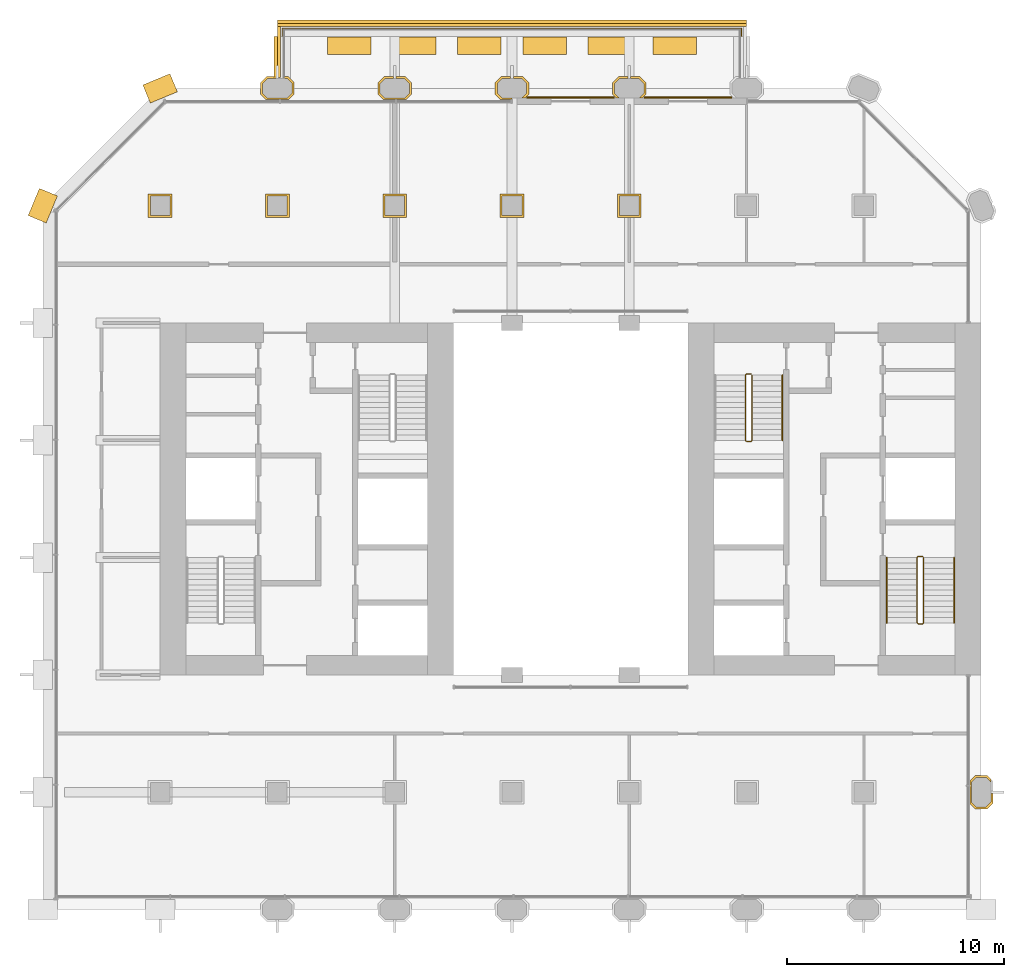
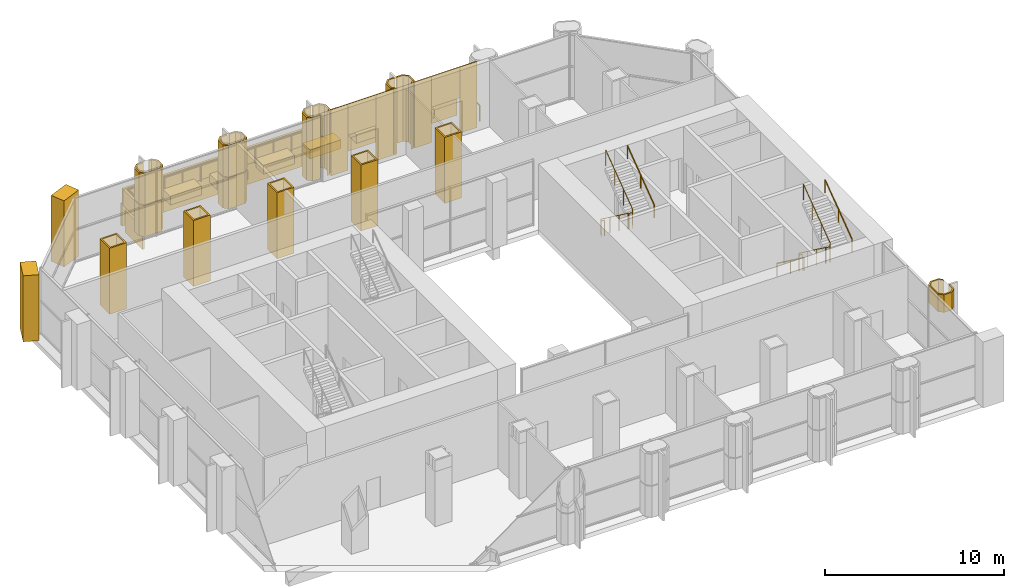
# One storey, part 14 of 15: 34 coverings, 6 railings.
"""IFC4 building model written with IfcOpenShell, lengths in metres."""

from ifc_helpers import new_model, si_unit, direction, frame, frame_2d, origin, origin_2d, place, context, subcontext, project, spatial, polyline, rectangle, circle, outline, extrude, material, layer, layer_set, type_object, element, save


model = new_model("IFC4")

# Units and contexts
model_context = context("Model", 3, precision=1e-05, world=origin(), true_north=direction((0.0, 1.0)))
body_context = subcontext(model_context, "Body", "Model", "MODEL_VIEW")
ifc_project = project(units=[si_unit("LENGTHUNIT", "METRE"), si_unit("AREAUNIT", "SQUARE_METRE"), si_unit("VOLUMEUNIT", "CUBIC_METRE"), si_unit("PLANEANGLEUNIT", "RADIAN"), si_unit("MASSUNIT", "GRAM", prefix="KILO")], contexts=[model_context])

# Site, building, storey
site_placement = place(None, origin())
site = spatial("IfcSite", under=ifc_project, at=site_placement, CompositionType="ELEMENT")
building_placement = place(site_placement, origin())
building = spatial("IfcBuilding", under=site, at=building_placement, Name="Tabaq Tower and Sports Hall", CompositionType="ELEMENT")
storey_placement = place(building_placement, frame((0.0, 0.0, 138.39990234375)))
storey = spatial("IfcBuildingStorey", under=building, at=storey_placement, Name="L32", CompositionType="ELEMENT", Elevation=138.39990234375)

# Coverings
ifc_material_1 = material(Name="Precast concrete C60/75", Category="concrete")
ifc_layer_1 = layer(ifc_material_1, 0.10009765625)
ifc_layer_set_1 = layer_set([ifc_layer_1], Name="Column cladding 100")
covering_type_1 = type_object("IfcCoveringType", Name="Column cladding 100", PredefinedType="CLADDING", material=ifc_layer_set_1)
covering_1_placement = place(storey_placement, origin())
element("IfcCovering", 1, at=covering_1_placement, inside=storey, type_object=covering_type_1, Name="Column cladding L32 CC-2H-S1", PredefinedType="CLADDING", context=body_context, shape_type="SweptSolid", body=[
    extrude(outline(polyline([(4.850341796875, 38.349609375), (5.94970703125, 38.349609375), (5.94970703125, 37.250244140625), (4.850341796875, 37.250244140625), (4.850341796875, 38.349609375)]), holes=[polyline([(5.850341796875, 37.349609375), (5.850341796875, 38.250244140625), (4.94970703125, 38.250244140625), (4.94970703125, 37.349609375), (5.850341796875, 37.349609375)])]), origin(), (0.0, 0.0, 1.0), 4.5),
])
covering_2_placement = place(storey_placement, origin())
element("IfcCovering", 2, at=covering_2_placement, inside=storey, type_object=covering_type_1, Name="Column cladding L32 CC-3H-S1", PredefinedType="CLADDING", context=body_context, shape_type="SweptSolid", body=[
    extrude(outline(polyline([(10.250244140625, 38.349609375), (11.349609375, 38.349609375), (11.349609375, 37.250244140625), (10.250244140625, 37.250244140625), (10.250244140625, 38.349609375)]), holes=[polyline([(11.250244140625, 37.349609375), (11.250244140625, 38.250244140625), (10.349609375, 38.250244140625), (10.349609375, 37.349609375), (11.250244140625, 37.349609375)])]), origin(), (0.0, 0.0, 1.0), 4.5),
])
for number, where, name in (
    (3, (0.0, 0.0, 0.10009765625), "Column cladding L32 PC-3I-S1"),
    (4, (0.0, 0.0, 2.280029296875), "Column cladding L32 PC-3I-S1 2"),
):
    element("IfcCovering", number, at=place(storey_placement, frame(where)), inside=storey, type_object=covering_type_1, Name=name, PredefinedType="CLADDING", context=body_context, shape_type="SweptSolid", body=[
        extrude(outline(polyline([(10.025390625, 43.46630859375), (10.30859375, 43.749755859375), (10.73974609375, 43.749755859375), (10.73974609375, 43.650390625), (10.349853515625, 43.650390625), (10.124755859375, 43.425048828125), (10.124755859375, 42.974853515625), (10.349853515625, 42.749755859375), (11.250244140625, 42.749755859375), (11.475341796875, 42.974853515625), (11.475341796875, 43.425048828125), (11.250244140625, 43.650390625), (11.09033203125, 43.650390625), (11.09033203125, 43.69970703125), (11.1103515625, 43.69970703125), (11.1103515625, 43.749755859375), (11.291259765625, 43.749755859375), (11.57470703125, 43.46630859375), (11.57470703125, 42.93359375), (11.331298828125, 42.690185546875), (10.268798828125, 42.690185546875), (10.025390625, 42.93359375), (10.025390625, 43.46630859375)])), origin(), (0.0, 0.0, 1.0), 2.1201171875),
    ])
covering_3_placement = place(storey_placement, origin())
element("IfcCovering", 5, at=covering_3_placement, inside=storey, type_object=covering_type_1, Name="Column cladding L32 CC-4H-S1", PredefinedType="CLADDING", context=body_context, shape_type="SweptSolid", body=[
    extrude(outline(polyline([(15.650390625, 38.349609375), (16.749755859375, 38.349609375), (16.749755859375, 37.250244140625), (15.650390625, 37.250244140625), (15.650390625, 38.349609375)]), holes=[polyline([(16.650390625, 37.349609375), (16.650390625, 38.250244140625), (15.749755859375, 38.250244140625), (15.749755859375, 37.349609375), (16.650390625, 37.349609375)])]), origin(), (0.0, 0.0, 1.0), 4.5),
])
for number, where, name in (
    (6, (0.0, 0.0, 0.10009765625), "Column cladding L32 PC-4I-S1"),
    (7, (0.0, 0.0, 2.280029296875), "Column cladding L32 PC-4I-S1 2"),
):
    element("IfcCovering", number, at=place(storey_placement, frame(where)), inside=storey, type_object=covering_type_1, Name=name, PredefinedType="CLADDING", context=body_context, shape_type="SweptSolid", body=[
        extrude(outline(polyline([(15.42529296875, 43.46630859375), (15.708740234375, 43.749755859375), (16.1396484375, 43.749755859375), (16.1396484375, 43.650390625), (15.749755859375, 43.650390625), (15.524658203125, 43.425048828125), (15.524658203125, 42.974853515625), (15.749755859375, 42.749755859375), (16.650146484375, 42.749755859375), (16.875244140625, 42.974853515625), (16.875244140625, 43.425048828125), (16.650146484375, 43.650390625), (16.26025390625, 43.650390625), (16.26025390625, 43.749755859375), (16.69140625, 43.749755859375), (16.974609375, 43.46630859375), (16.974609375, 42.93359375), (16.731201171875, 42.690185546875), (15.668701171875, 42.690185546875), (15.42529296875, 42.93359375), (15.42529296875, 43.46630859375)])), origin(), (0.0, 0.0, 1.0), 2.1201171875),
    ])
covering_4_placement = place(storey_placement, origin())
element("IfcCovering", 8, at=covering_4_placement, inside=storey, type_object=covering_type_1, Name="Column cladding L32 CC-5H-S1", PredefinedType="CLADDING", context=body_context, shape_type="SweptSolid", body=[
    extrude(outline(polyline([(21.05029296875, 38.349609375), (22.149658203125, 38.349609375), (22.149658203125, 37.250244140625), (21.05029296875, 37.250244140625), (21.05029296875, 38.349609375)]), holes=[polyline([(22.05029296875, 37.349609375), (22.05029296875, 38.250244140625), (21.149658203125, 38.250244140625), (21.149658203125, 37.349609375), (22.05029296875, 37.349609375)])]), origin(), (0.0, 0.0, 1.0), 4.5),
])
covering_5_placement = place(storey_placement, frame((0.0, 0.0, 0.10009765625)))
element("IfcCovering", 9, at=covering_5_placement, inside=storey, type_object=covering_type_1, Name="Column cladding L32 PC-5I-S1", PredefinedType="CLADDING", context=body_context, shape_type="SweptSolid", body=[
    extrude(outline(polyline([(20.8251953125, 43.46630859375), (21.108642578125, 43.749755859375), (21.539794921875, 43.749755859375), (21.539794921875, 43.650390625), (21.14990234375, 43.650390625), (20.9248046875, 43.425048828125), (20.9248046875, 42.974853515625), (21.14990234375, 42.749755859375), (21.599609375, 42.749755859375), (21.599609375, 42.690185546875), (21.068603515625, 42.690185546875), (20.8251953125, 42.93359375), (20.8251953125, 43.46630859375)])), origin(), (0.0, 0.0, 1.0), 2.1201171875),
])
covering_6_placement = place(storey_placement, frame((0.0, 0.0, 0.10009765625)))
element("IfcCovering", 10, at=covering_6_placement, inside=storey, type_object=covering_type_1, Name="Column cladding L32 PC-5I-S1 2", PredefinedType="CLADDING", context=body_context, shape_type="SweptSolid", body=[
    extrude(outline(polyline([(22.09130859375, 43.749755859375), (22.374755859375, 43.46630859375), (22.374755859375, 42.93359375), (22.19140625, 42.750244140625), (22.05078125, 42.750244140625), (22.275390625, 42.974853515625), (22.275390625, 43.425048828125), (22.050048828125, 43.650390625), (21.660400390625, 43.650390625), (21.660400390625, 43.749755859375), (22.09130859375, 43.749755859375)])), origin(), (0.0, 0.0, 1.0), 2.1201171875),
])
covering_7_placement = place(storey_placement, frame((0.0, 0.0, 2.280029296875)))
element("IfcCovering", 11, at=covering_7_placement, inside=storey, type_object=covering_type_1, Name="Column cladding L32 PC-5I-S1 2", PredefinedType="CLADDING", context=body_context, shape_type="SweptSolid", body=[
    extrude(outline(polyline([(20.8251953125, 43.46630859375), (21.108642578125, 43.749755859375), (21.539794921875, 43.749755859375), (21.539794921875, 43.650390625), (21.14990234375, 43.650390625), (20.9248046875, 43.425048828125), (20.9248046875, 42.974853515625), (21.14990234375, 42.749755859375), (21.599609375, 42.749755859375), (21.599609375, 42.690185546875), (21.068603515625, 42.690185546875), (20.8251953125, 42.93359375), (20.8251953125, 43.46630859375)])), origin(), (0.0, 0.0, 1.0), 2.1201171875),
])
covering_8_placement = place(storey_placement, frame((0.0, 0.0, 2.280029296875)))
element("IfcCovering", 12, at=covering_8_placement, inside=storey, type_object=covering_type_1, Name="Column cladding L32 PC-5I-S1 2 2", PredefinedType="CLADDING", context=body_context, shape_type="SweptSolid", body=[
    extrude(outline(polyline([(22.09130859375, 43.749755859375), (22.374755859375, 43.46630859375), (22.374755859375, 42.93359375), (22.19140625, 42.750244140625), (22.05078125, 42.750244140625), (22.275390625, 42.974853515625), (22.275390625, 43.425048828125), (22.050048828125, 43.650390625), (21.660400390625, 43.650390625), (21.660400390625, 43.749755859375), (22.09130859375, 43.749755859375)])), origin(), (0.0, 0.0, 1.0), 2.1201171875),
])
covering_9_placement = place(storey_placement, origin())
element("IfcCovering", 13, at=covering_9_placement, inside=storey, type_object=covering_type_1, Name="Column cladding L32 CC-6H-S1", PredefinedType="CLADDING", context=body_context, shape_type="SweptSolid", body=[
    extrude(outline(polyline([(26.4501953125, 38.349609375), (27.5498046875, 38.349609375), (27.5498046875, 37.250244140625), (26.4501953125, 37.250244140625), (26.4501953125, 38.349609375)]), holes=[polyline([(27.4501953125, 37.349609375), (27.4501953125, 38.250244140625), (26.5498046875, 38.250244140625), (26.5498046875, 37.349609375), (27.4501953125, 37.349609375)])]), origin(), (0.0, 0.0, 1.0), 4.5),
])
covering_10_placement = place(storey_placement, origin())
element("IfcCovering", 14, at=covering_10_placement, inside=storey, type_object=covering_type_1, Name="Column cladding L32 PC-6I-S1", PredefinedType="CLADDING", context=body_context, shape_type="SweptSolid", body=[
    extrude(outline(polyline([(27.4912109375, 43.749755859375), (27.774658203125, 43.46630859375), (27.774658203125, 42.93359375), (27.59130859375, 42.750244140625), (27.45068359375, 42.750244140625), (27.67529296875, 42.974853515625), (27.67529296875, 43.425048828125), (27.4501953125, 43.650390625), (27.060302734375, 43.650390625), (27.060302734375, 43.749755859375), (27.4912109375, 43.749755859375)])), origin(), (0.0, 0.0, 1.0), 4.5),
])
covering_11_placement = place(storey_placement, origin())
element("IfcCovering", 15, at=covering_11_placement, inside=storey, type_object=covering_type_1, Name="Column cladding L32 PC-6I-S1 2", PredefinedType="CLADDING", context=body_context, shape_type="SweptSolid", body=[
    extrude(outline(polyline([(26.225341796875, 43.46630859375), (26.5087890625, 43.749755859375), (26.939697265625, 43.749755859375), (26.939697265625, 43.650390625), (26.5498046875, 43.650390625), (26.32470703125, 43.425048828125), (26.32470703125, 42.974853515625), (26.54931640625, 42.750244140625), (26.40869140625, 42.750244140625), (26.225341796875, 42.93359375), (26.225341796875, 43.46630859375)])), origin(), (0.0, 0.0, 1.0), 4.5),
])
covering_12_placement = place(storey_placement, frame((0.0, 0.0, 3.300048828125)))
element("IfcCovering", 16, at=covering_12_placement, inside=storey, type_object=covering_type_1, Name="Column cladding L32 PC-9C-S1 head", PredefinedType="CLADDING", context=body_context, shape_type="SweptSolid", body=[
    extrude(outline(polyline([(42.690185546875, 10.268798828125), (42.690185546875, 11.331298828125), (42.93359375, 11.57470703125), (43.46630859375, 11.57470703125), (43.649658203125, 11.391357421875), (43.649658203125, 11.250732421875), (43.425048828125, 11.475341796875), (42.974853515625, 11.475341796875), (42.749755859375, 11.250244140625), (42.749755859375, 10.349853515625), (42.974853515625, 10.124755859375), (43.425048828125, 10.124755859375), (43.650390625, 10.349853515625), (43.650390625, 10.73974609375), (43.749755859375, 10.73974609375), (43.749755859375, 10.30859375), (43.46630859375, 10.025390625), (42.93359375, 10.025390625), (42.690185546875, 10.268798828125)])), origin(), (0.0, 0.0, 1.0), 1.199951171875),
])

# Railing
ifc_material_2 = material(Name="Stainless steel S316 and laminated glass", Category="steel")
railing_type_1 = type_object("IfcRailingType", Name="Guard 1100 steel and glass", PredefinedType="GUARDRAIL", material=ifc_material_2)
railing_1_placement = place(storey_placement, frame((32.14990234375, 43.199951171875, 0.0)))
element("IfcRailing", 17, at=railing_1_placement, inside=storey, type_object=railing_type_1, Name="Tray guard L32", PredefinedType="GUARDRAIL", context=body_context, shape_type="SweptSolid", body=[
    extrude(circle(Radius=0.02490234375, at=origin_2d()), frame((0.0, 0.0, 1.0751953125), z_axis=(0.0, 1.0, 0.0), x_axis=(-1.0, 0.0, 0.0)), (0.0, 0.0, 1.0), 2.75),
    extrude(circle(Radius=0.02490234375, at=origin_2d()), frame((0.0, 2.75, 1.0751953125), z_axis=(-1.0, 0.0, 0.0), x_axis=(0.0, -1.0, 0.0)), (0.0, 0.0, 1.0), 21.099853515625),
    extrude(circle(Radius=0.02490234375, at=origin_2d()), frame((-21.099853515625, 2.75, 1.0751953125), z_axis=(0.0, -1.0, 0.0), x_axis=(1.0, 0.0, 0.0)), (0.0, 0.0, 1.0), 2.75),
    extrude(circle(Radius=0.02001953125, at=origin_2d()), origin(), (0.0, 0.0, 1.0), 1.050048828125),
    extrude(circle(Radius=0.02001953125, at=origin_2d()), frame((0.0, 0.916748046875, 0.0)), (0.0, 0.0, 1.0), 1.050048828125),
    extrude(circle(Radius=0.02001953125, at=origin_2d()), frame((0.0, 1.833251953125, 0.0)), (0.0, 0.0, 1.0), 1.050048828125),
    extrude(circle(Radius=0.02001953125, at=origin_2d()), frame((0.0, 2.75, 0.0)), (0.0, 0.0, 1.0), 1.050048828125),
    extrude(circle(Radius=0.02001953125, at=origin_2d()), frame((-1.172119140625, 2.75, 0.0)), (0.0, 0.0, 1.0), 1.050048828125),
    extrude(circle(Radius=0.02001953125, at=origin_2d()), frame((-2.344482421875, 2.75, 0.0)), (0.0, 0.0, 1.0), 1.050048828125),
    extrude(circle(Radius=0.02001953125, at=origin_2d()), frame((-3.5166015625, 2.75, 0.0)), (0.0, 0.0, 1.0), 1.050048828125),
    extrude(circle(Radius=0.02001953125, at=origin_2d()), frame((-4.68896484375, 2.75, 0.0)), (0.0, 0.0, 1.0), 1.050048828125),
    extrude(circle(Radius=0.02001953125, at=origin_2d()), frame((-5.861083984375, 2.75, 0.0)), (0.0, 0.0, 1.0), 1.050048828125),
    extrude(circle(Radius=0.02001953125, at=origin_2d()), frame((-7.033203125, 2.75, 0.0)), (0.0, 0.0, 1.0), 1.050048828125),
    extrude(circle(Radius=0.02001953125, at=origin_2d()), frame((-8.20556640625, 2.75, 0.0)), (0.0, 0.0, 1.0), 1.050048828125),
    extrude(circle(Radius=0.02001953125, at=origin_2d()), frame((-9.377685546875, 2.75, 0.0)), (0.0, 0.0, 1.0), 1.050048828125),
    extrude(circle(Radius=0.02001953125, at=origin_2d()), frame((-10.5498046875, 2.75, 0.0)), (0.0, 0.0, 1.0), 1.050048828125),
    extrude(circle(Radius=0.02001953125, at=origin_2d()), frame((-11.72216796875, 2.75, 0.0)), (0.0, 0.0, 1.0), 1.050048828125),
    extrude(circle(Radius=0.02001953125, at=origin_2d()), frame((-12.894287109375, 2.75, 0.0)), (0.0, 0.0, 1.0), 1.050048828125),
    extrude(circle(Radius=0.02001953125, at=origin_2d()), frame((-14.066650390625, 2.75, 0.0)), (0.0, 0.0, 1.0), 1.050048828125),
    extrude(circle(Radius=0.02001953125, at=origin_2d()), frame((-15.23876953125, 2.75, 0.0)), (0.0, 0.0, 1.0), 1.050048828125),
    extrude(circle(Radius=0.02001953125, at=origin_2d()), frame((-16.410888671875, 2.75, 0.0)), (0.0, 0.0, 1.0), 1.050048828125),
    extrude(circle(Radius=0.02001953125, at=origin_2d()), frame((-17.583251953125, 2.75, 0.0)), (0.0, 0.0, 1.0), 1.050048828125),
    extrude(circle(Radius=0.02001953125, at=origin_2d()), frame((-18.75537109375, 2.75, 0.0)), (0.0, 0.0, 1.0), 1.050048828125),
    extrude(circle(Radius=0.02001953125, at=origin_2d()), frame((-19.927734375, 2.75, 0.0)), (0.0, 0.0, 1.0), 1.050048828125),
    extrude(circle(Radius=0.02001953125, at=origin_2d()), frame((-21.099853515625, 2.75, 0.0)), (0.0, 0.0, 1.0), 1.050048828125),
    extrude(circle(Radius=0.02001953125, at=origin_2d()), frame((-21.099853515625, 1.833251953125, 0.0)), (0.0, 0.0, 1.0), 1.050048828125),
    extrude(circle(Radius=0.02001953125, at=origin_2d()), frame((-21.099853515625, 0.916748046875, 0.0)), (0.0, 0.0, 1.0), 1.050048828125),
    extrude(circle(Radius=0.02001953125, at=origin_2d()), frame((-21.099853515625, 0.0, 0.0)), (0.0, 0.0, 1.0), 1.050048828125),
])

# Coverings
ifc_material_3 = material(Name="White precast concrete C60/75", Category="concrete")
covering_type_2 = type_object("IfcCoveringType", Name="Pier cladding hung 1350x900", PredefinedType="CLADDING", material=ifc_material_3)
for number, where, z_axis, x_axis, name in (
    (18, (0.25830078125, 38.423583984375, 0.0), (0.0, 0.0, 1.0), (-0.382649923473, -0.923893411637, 0.0), "Hung pier cladding 0/7"),
    (19, (6.023681640625, 43.458251953125, 0.0), (0.0, 0.0, 1.0), (-0.923893411637, -0.382649923473, 0.0), "Hung pier cladding 1/8"),
):
    element("IfcCovering", number, at=place(storey_placement, frame(where, z_axis=z_axis, x_axis=x_axis)), inside=storey, type_object=covering_type_2, Name=name, PredefinedType="CLADDING", context=body_context, shape_type="SweptSolid", body=[
        extrude(rectangle(XDim=1.35009765625, YDim=0.89990234375, at=frame_2d((0.675048828125, 0.0))), origin(), (0.0, 0.0, 1.0), 4.5),
    ])
ifc_material_4 = material(Name="Planting soil and drainage layer")
covering_type_3 = type_object("IfcCoveringType", Name="Planter 2000x800x600", PredefinedType="USERDEFINED", material=ifc_material_4)
for number, where, z_axis, x_axis, name in (
    (20, (29.10009765625, 45.169921875, 0.0), (0.0, 0.0, 1.0), (-1.0, 0.0, 0.0), "Planter L32"),
    (21, (26.10009765625, 45.169921875, 0.0), (0.0, 0.0, 1.0), (-1.0, 0.0, 0.0), "Planter L32"),
    (22, (23.10009765625, 45.169921875, 0.0), (0.0, 0.0, 1.0), (-1.0, 0.0, 0.0), "Planter L32"),
    (23, (20.10009765625, 45.169921875, 0.0), (0.0, 0.0, 1.0), (-1.0, 0.0, 0.0), "Planter L32"),
    (24, (17.10009765625, 45.169921875, 0.0), (0.0, 0.0, 1.0), (-1.0, 0.0, 0.0), "Planter L32"),
    (25, (14.10009765625, 45.169921875, 0.0), (0.0, 0.0, 1.0), (-1.0, 0.0, 0.0), "Planter L32"),
):
    element("IfcCovering", number, at=place(storey_placement, frame(where, z_axis=z_axis, x_axis=x_axis)), inside=storey, type_object=covering_type_3, Name=name, ObjectType="PLANTER", PredefinedType="USERDEFINED", context=body_context, shape_type="SweptSolid", body=[
        extrude(rectangle(XDim=2.0, YDim=0.800048828125, at=origin_2d()), origin(), (0.0, 0.0, 1.0), 0.60009765625),
    ])

# Railings
ifc_material_5 = material(Name="Stainless steel", Category="steel")
railing_type_2 = type_object("IfcRailingType", Name="Stair guard", PredefinedType="GUARDRAIL", material=ifc_material_5)
railing_2_placement = place(storey_placement, frame((40.5, 21.64990234375, 0.0)))
element("IfcRailing", 26, at=railing_2_placement, inside=storey, type_object=railing_type_2, Name="L32 ST3 stair guard 1", PredefinedType="GUARDRAIL", context=body_context, shape_type="SweptSolid", body=[
    extrude(circle(Radius=0.02392578125, at=origin_2d()), frame((0.0, 0.0, 1.076171875), z_axis=(-1.0, 0.0, 0.0), x_axis=(0.0, -1.0, 0.0)), (0.0, 0.0, 1.0), 0.199951171875),
    extrude(circle(Radius=0.02392578125, at=origin_2d()), frame((-0.199951171875, 0.0, 1.076171875), z_axis=(-0.252972702061, -0.251738688881, 0.934147977856), x_axis=(0.705375805398, -0.708833529934, 0.0)), (0.0, 0.0, 1.0), 0.19775390625),
    extrude(circle(Radius=0.02392578125, at=origin_2d()), frame((-0.25, -0.0498046875, 1.2607421875), z_axis=(0.0, -0.804440004972, 0.594033903411), x_axis=(1.0, 0.0, 0.0)), (0.0, 0.0, 1.0), 3.729248046875),
    extrude(circle(Radius=0.02392578125, at=origin_2d()), frame((-0.25, -3.0498046875, 3.47607421875), z_axis=(0.707106781187, -0.707106781187, 0.0), x_axis=(0.707106781187, 0.707106781187, 0.0)), (0.0, 0.0, 1.0), 0.07080078125),
    extrude(circle(Radius=0.02392578125, at=origin_2d()), frame((-0.199951171875, -3.099853515625, 3.47607421875), z_axis=(1.0, 0.0, 0.0), x_axis=(0.0, 1.0, 0.0)), (0.0, 0.0, 1.0), 0.199951171875),
    extrude(circle(Radius=0.02392578125, at=origin_2d()), frame((0.0, -3.099853515625, 3.47607421875), z_axis=(0.253185614162, 0.253185614162, 0.933699142959), x_axis=(-0.707106781187, 0.707106781187, 0.0)), (0.0, 0.0, 1.0), 0.19775390625),
    extrude(circle(Radius=0.02392578125, at=origin_2d()), frame((0.050048828125, -3.0498046875, 3.66064453125), z_axis=(0.0, 0.804440004972, 0.594033903411), x_axis=(-1.0, 0.0, 0.0)), (0.0, 0.0, 1.0), 3.729248046875),
    extrude(circle(Radius=0.02099609375, at=origin_2d()), origin(), (0.0, 0.0, 1.0), 1.052001953125),
    extrude(circle(Radius=0.02099609375, at=origin_2d()), frame((-0.199951171875, 0.0, 0.0)), (0.0, 0.0, 1.0), 1.052001953125),
    extrude(circle(Radius=0.02099609375, at=origin_2d()), frame((-0.25, -0.0498046875, 0.184814453125)), (0.0, 0.0, 1.0), 1.052001953125),
    extrude(circle(Radius=0.02099609375, at=origin_2d()), frame((-0.25, -1.0498046875, 0.92333984375)), (0.0, 0.0, 1.0), 1.052001953125),
    extrude(circle(Radius=0.02099609375, at=origin_2d()), frame((-0.25, -2.0498046875, 1.66162109375)), (0.0, 0.0, 1.0), 1.052001953125),
    extrude(circle(Radius=0.02099609375, at=origin_2d()), frame((-0.25, -3.0498046875, 2.400146484375)), (0.0, 0.0, 1.0), 1.052001953125),
    extrude(circle(Radius=0.02099609375, at=origin_2d()), frame((-0.199951171875, -3.099853515625, 2.400146484375)), (0.0, 0.0, 1.0), 1.052001953125),
    extrude(circle(Radius=0.02099609375, at=origin_2d()), frame((0.0, -3.099853515625, 2.400146484375)), (0.0, 0.0, 1.0), 1.052001953125),
    extrude(circle(Radius=0.02099609375, at=origin_2d()), frame((0.050048828125, -3.0498046875, 2.584716796875)), (0.0, 0.0, 1.0), 1.052001953125),
    extrude(circle(Radius=0.02099609375, at=origin_2d()), frame((0.050048828125, -2.0498046875, 3.3232421875)), (0.0, 0.0, 1.0), 1.052001953125),
    extrude(circle(Radius=0.02099609375, at=origin_2d()), frame((0.050048828125, -1.0498046875, 4.0615234375)), (0.0, 0.0, 1.0), 1.052001953125),
    extrude(circle(Radius=0.02099609375, at=origin_2d()), frame((0.050048828125, -0.0498046875, 4.800048828125)), (0.0, 0.0, 1.0), 1.052001953125),
])
railing_3_placement = place(storey_placement, frame((32.60009765625, 30.050048828125, 0.0)))
element("IfcRailing", 27, at=railing_3_placement, inside=storey, type_object=railing_type_2, Name="L32 ST4 stair guard 1", PredefinedType="GUARDRAIL", context=body_context, shape_type="SweptSolid", body=[
    extrude(circle(Radius=0.02392578125, at=origin_2d()), frame((0.0, 0.0, 1.076171875), z_axis=(-1.0, 0.0, 0.0), x_axis=(0.0, -1.0, 0.0)), (0.0, 0.0, 1.0), 0.2001953125),
    extrude(circle(Radius=0.02392578125, at=origin_2d()), frame((-0.2001953125, 0.0, 1.076171875), z_axis=(-0.251738688881, -0.252972702061, 0.934147977856), x_axis=(0.708833529934, -0.705375805398, 0.0)), (0.0, 0.0, 1.0), 0.19775390625),
    extrude(circle(Radius=0.02392578125, at=origin_2d()), frame((-0.25, -0.050048828125, 1.2607421875), z_axis=(0.0, -0.804440004972, 0.594033903411), x_axis=(1.0, 0.0, 0.0)), (0.0, 0.0, 1.0), 3.729248046875),
    extrude(circle(Radius=0.02392578125, at=origin_2d()), frame((-0.25, -3.050048828125, 3.47607421875), z_axis=(0.705375805398, -0.708833529934, 0.0), x_axis=(0.708833529934, 0.705375805398, 0.0)), (0.0, 0.0, 1.0), 0.070556640625),
    extrude(circle(Radius=0.02392578125, at=origin_2d()), frame((-0.2001953125, -3.10009765625, 3.47607421875), z_axis=(1.0, 0.0, 0.0), x_axis=(0.0, 1.0, 0.0)), (0.0, 0.0, 1.0), 0.2001953125),
    extrude(circle(Radius=0.02392578125, at=origin_2d()), frame((0.0, -3.10009765625, 3.47607421875), z_axis=(0.252029191293, 0.253264628505, 0.933990532438), x_axis=(-0.708833529934, 0.705375805398, 0.0)), (0.0, 0.0, 1.0), 0.197509765625),
    extrude(circle(Radius=0.02392578125, at=origin_2d()), frame((0.0498046875, -3.050048828125, 3.66064453125), z_axis=(0.0, 0.804440004972, 0.594033903411), x_axis=(-1.0, 0.0, 0.0)), (0.0, 0.0, 1.0), 3.729248046875),
    extrude(circle(Radius=0.02099609375, at=origin_2d()), origin(), (0.0, 0.0, 1.0), 1.052001953125),
    extrude(circle(Radius=0.02099609375, at=origin_2d()), frame((-0.2001953125, 0.0, 0.0)), (0.0, 0.0, 1.0), 1.052001953125),
    extrude(circle(Radius=0.02099609375, at=origin_2d()), frame((-0.25, -0.050048828125, 0.184814453125)), (0.0, 0.0, 1.0), 1.052001953125),
    extrude(circle(Radius=0.02099609375, at=origin_2d()), frame((-0.25, -1.050048828125, 0.92333984375)), (0.0, 0.0, 1.0), 1.052001953125),
    extrude(circle(Radius=0.02099609375, at=origin_2d()), frame((-0.25, -2.050048828125, 1.66162109375)), (0.0, 0.0, 1.0), 1.052001953125),
    extrude(circle(Radius=0.02099609375, at=origin_2d()), frame((-0.25, -3.050048828125, 2.400146484375)), (0.0, 0.0, 1.0), 1.052001953125),
    extrude(circle(Radius=0.02099609375, at=origin_2d()), frame((-0.2001953125, -3.10009765625, 2.400146484375)), (0.0, 0.0, 1.0), 1.052001953125),
    extrude(circle(Radius=0.02099609375, at=origin_2d()), frame((0.0, -3.10009765625, 2.400146484375)), (0.0, 0.0, 1.0), 1.052001953125),
    extrude(circle(Radius=0.02099609375, at=origin_2d()), frame((0.0498046875, -3.050048828125, 2.584716796875)), (0.0, 0.0, 1.0), 1.052001953125),
    extrude(circle(Radius=0.02099609375, at=origin_2d()), frame((0.0498046875, -2.050048828125, 3.3232421875)), (0.0, 0.0, 1.0), 1.052001953125),
    extrude(circle(Radius=0.02099609375, at=origin_2d()), frame((0.0498046875, -1.050048828125, 4.0615234375)), (0.0, 0.0, 1.0), 1.052001953125),
    extrude(circle(Radius=0.02099609375, at=origin_2d()), frame((0.0498046875, -0.050048828125, 4.800048828125)), (0.0, 0.0, 1.0), 1.052001953125),
])
ifc_material_6 = material(Name="Stainless steel", Category="steel")
railing_type_3 = type_object("IfcRailingType", Name="Stair handrail", PredefinedType="HANDRAIL", material=ifc_material_6)
railing_4_placement = place(storey_placement, frame((38.85009765625, 21.60009765625, 0.184814453125)))
element("IfcRailing", 28, at=railing_4_placement, inside=storey, type_object=railing_type_3, Name="L32 ST3 stair handrail 1", PredefinedType="HANDRAIL", context=body_context, shape_type="SweptSolid", body=[
    extrude(circle(Radius=0.02392578125, at=origin_2d()), frame((0.0, 0.0, 0.8759765625), z_axis=(0.0, -0.804440004972, 0.594033903411), x_axis=(1.0, 0.0, 0.0)), (0.0, 0.0, 1.0), 3.729248046875),
    extrude(circle(Radius=0.02099609375, at=origin_2d()), origin(), (0.0, 0.0, 1.0), 0.851806640625),
    extrude(circle(Radius=0.02099609375, at=origin_2d()), frame((0.0, -1.5, 1.107666015625)), (0.0, 0.0, 1.0), 0.851806640625),
    extrude(circle(Radius=0.02099609375, at=origin_2d()), frame((0.0, -3.0, 2.21533203125)), (0.0, 0.0, 1.0), 0.851806640625),
])
for number, where, name in (
    (29, (41.949951171875, 18.60009765625, 2.584716796875), "L32 ST3 stair handrail 2"),
    (30, (34.050048828125, 27.0, 2.584716796875), "L32 ST4 stair handrail 2"),
):
    element("IfcRailing", number, at=place(storey_placement, frame(where)), inside=storey, type_object=railing_type_3, Name=name, PredefinedType="HANDRAIL", context=body_context, shape_type="SweptSolid", body=[
        extrude(circle(Radius=0.02392578125, at=origin_2d()), frame((0.0, 0.0, 0.8759765625), z_axis=(0.0, 0.804440004972, 0.594033903411), x_axis=(-1.0, 0.0, 0.0)), (0.0, 0.0, 1.0), 3.729248046875),
        extrude(circle(Radius=0.02099609375, at=origin_2d()), origin(), (0.0, 0.0, 1.0), 0.851806640625),
        extrude(circle(Radius=0.02099609375, at=origin_2d()), frame((0.0, 1.5, 1.107666015625)), (0.0, 0.0, 1.0), 0.851806640625),
        extrude(circle(Radius=0.02099609375, at=origin_2d()), frame((0.0, 3.0, 2.21533203125)), (0.0, 0.0, 1.0), 0.851806640625),
    ])

# Coverings
ifc_material_7 = material(Name="Precast concrete C60/75", Category="concrete")
ifc_layer_2 = layer(ifc_material_7, 0.14990234375)
ifc_layer_set_2 = layer_set([ifc_layer_2], Name="Tray fascia 1200")
covering_type_4 = type_object("IfcCoveringType", Name="Tray fascia 1200", PredefinedType="CLADDING", material=ifc_layer_set_2)
covering_13_placement = place(storey_placement, frame((10.72509765625, 43.64990234375, -1.5), z_axis=(0.0, 0.0, 1.0), x_axis=(0.0, 1.0, 0.0)))
element("IfcCovering", 31, at=covering_13_placement, inside=storey, type_object=covering_type_4, Name="Tray fascia L32 EBT", PredefinedType="CLADDING", context=body_context, shape_type="SweptSolid", body=[
    extrude(rectangle(XDim=1.9501953125, YDim=0.14990234375, at=frame_2d((0.97509765625, 0.0))), origin(), (0.0, 0.0, 1.0), 1.5),
])
covering_14_placement = place(storey_placement, frame((32.39990234375, 46.27490234375, -1.5), z_axis=(0.0, 0.0, 1.0), x_axis=(-1.0, 0.0, 0.0)))
element("IfcCovering", 32, at=covering_14_placement, inside=storey, type_object=covering_type_4, Name="Tray fascia L32 EBT", PredefinedType="CLADDING", context=body_context, shape_type="SweptSolid", body=[
    extrude(rectangle(XDim=21.599853515625, YDim=0.14990234375, at=frame_2d((10.7998046875, 0.0))), origin(), (0.0, 0.0, 1.0), 1.5),
])
ifc_material_8 = material(Name="Precast concrete C60/75", Category="concrete")
ifc_layer_3 = layer(ifc_material_8, 0.14990234375)
ifc_layer_set_3 = layer_set([ifc_layer_3], Name="Tray upstand cladding 1100")
covering_type_5 = type_object("IfcCoveringType", Name="Tray upstand cladding 1100", PredefinedType="CLADDING", material=ifc_layer_set_3)
covering_15_placement = place(storey_placement, frame((32.39990234375, 46.125, 0.0), z_axis=(0.0, 0.0, 1.0), x_axis=(-1.0, 0.0, 0.0)))
element("IfcCovering", 33, at=covering_15_placement, inside=storey, type_object=covering_type_5, Name="Tray upstand cladding L32", PredefinedType="CLADDING", context=body_context, shape_type="SweptSolid", body=[
    extrude(rectangle(XDim=21.599853515625, YDim=0.14990234375, at=frame_2d((10.7998046875, 0.0))), origin(), (0.0, 0.0, 1.0), 1.10009765625),
])
covering_16_placement = place(storey_placement, frame((10.875, 43.699951171875, 0.0), z_axis=(0.0, 0.0, 1.0), x_axis=(0.0, 1.0, 0.0)))
element("IfcCovering", 34, at=covering_16_placement, inside=storey, type_object=covering_type_5, Name="Tray upstand cladding L32", PredefinedType="CLADDING", context=body_context, shape_type="SweptSolid", body=[
    extrude(rectangle(XDim=2.35009765625, YDim=0.14990234375, at=frame_2d((1.175048828125, 0.0))), origin(), (0.0, 0.0, 1.0), 1.10009765625),
])
ifc_material_9 = material(Name="Precast concrete C60/75", Category="concrete")
ifc_layer_4 = layer(ifc_material_9, 0.06005859375)
ifc_layer_set_4 = layer_set([ifc_layer_4], Name="White precast cladding panel 60 C60/75")
covering_type_6 = type_object("IfcCoveringType", Name="White precast cladding panel 60 C60/75", PredefinedType="CLADDING", material=ifc_layer_set_4)
covering_17_placement = place(storey_placement, frame((31.715087890625, 42.780029296875, 0.0), z_axis=(0.0, 0.0, 1.0), x_axis=(-1.0, 0.0, 0.0)))
element("IfcCovering", 35, at=covering_17_placement, inside=storey, type_object=covering_type_6, Name="White precast cladding panel L32 infill03-0-1", PredefinedType="CLADDING", context=body_context, shape_type="SweptSolid", body=[
    extrude(rectangle(XDim=1.10498046875, YDim=0.06005859375, at=frame_2d((0.552490234375, 0.0))), origin(), (0.0, 0.0, 1.0), 4.5),
])
covering_18_placement = place(storey_placement, frame((30.610107421875, 42.780029296875, 2.41015625), z_axis=(0.0, 0.0, 1.0), x_axis=(-1.0, 0.0, 0.0)))
element("IfcCovering", 36, at=covering_18_placement, inside=storey, type_object=covering_type_6, Name="White precast cladding panel L32 infill03-0-1 2", PredefinedType="CLADDING", context=body_context, shape_type="SweptSolid", body=[
    extrude(rectangle(XDim=1.820068359375, YDim=0.06005859375, at=frame_2d((0.91015625, 0.0))), origin(), (0.0, 0.0, 1.0), 2.08984375),
])
for number, where, z_axis, x_axis, name in (
    (37, (28.7900390625, 42.780029296875, 0.0), (0.0, 0.0, 1.0), (-1.0, 0.0, 0.0), "White precast cladding panel L32 infill03-0-1 3"),
    (38, (26.31494140625, 42.780029296875, 0.0), (0.0, 0.0, 1.0), (-1.0, 0.0, 0.0), "White precast cladding panel L32 infill03-0-1 4"),
):
    element("IfcCovering", number, at=place(storey_placement, frame(where, z_axis=z_axis, x_axis=x_axis)), inside=storey, type_object=covering_type_6, Name=name, PredefinedType="CLADDING", context=body_context, shape_type="SweptSolid", body=[
        extrude(rectangle(XDim=1.10498046875, YDim=0.06005859375, at=frame_2d((0.552490234375, 0.0))), origin(), (0.0, 0.0, 1.0), 4.5),
    ])
covering_19_placement = place(storey_placement, frame((25.2099609375, 42.780029296875, 2.41015625), z_axis=(0.0, 0.0, 1.0), x_axis=(-1.0, 0.0, 0.0)))
element("IfcCovering", 39, at=covering_19_placement, inside=storey, type_object=covering_type_6, Name="White precast cladding panel L32 infill03-0-1 5", PredefinedType="CLADDING", context=body_context, shape_type="SweptSolid", body=[
    extrude(rectangle(XDim=1.820068359375, YDim=0.06005859375, at=frame_2d((0.91015625, 0.0))), origin(), (0.0, 0.0, 1.0), 2.08984375),
])
covering_20_placement = place(storey_placement, frame((23.389892578125, 42.780029296875, 0.0), z_axis=(0.0, 0.0, 1.0), x_axis=(-1.0, 0.0, 0.0)))
element("IfcCovering", 40, at=covering_20_placement, inside=storey, type_object=covering_type_6, Name="White precast cladding panel L32 infill03-0-1 6", PredefinedType="CLADDING", context=body_context, shape_type="SweptSolid", body=[
    extrude(rectangle(XDim=1.10498046875, YDim=0.06005859375, at=frame_2d((0.552490234375, 0.0))), origin(), (0.0, 0.0, 1.0), 4.5),
])

save(model, "model.ifc")
